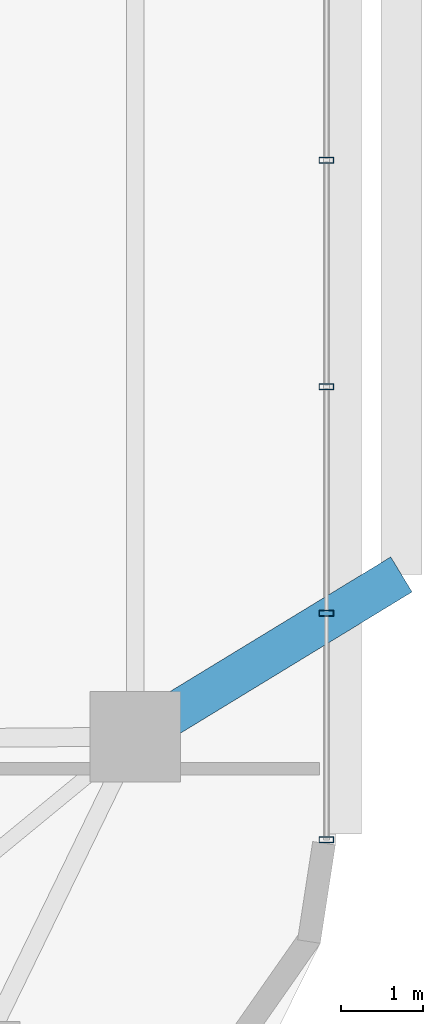
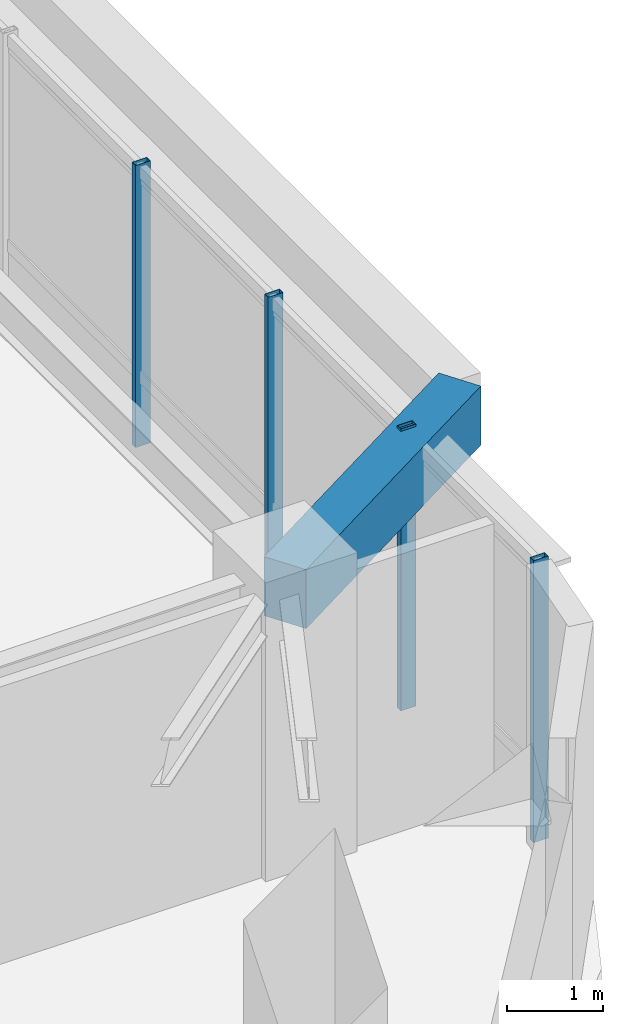
# One storey, part 2 of 14: 4 members, 1 beam, 1 element without a shape of its own.
"""IFC4 building model written with IfcOpenShell, lengths in metres."""

from ifc_helpers import new_model, si_unit, direction, frame, origin, origin_2d, place, context, subcontext, project, spatial, rectangle, hollow_rectangle, extrude, material, material_profile, profile_set, type_object, element, aggregate, save


model = new_model("IFC4")

# Units and contexts
model_context = context("Model", 3, precision=1e-05, world=origin(), true_north=direction((0.0, 1.0)))
body_context = subcontext(model_context, "Body", "Model", "MODEL_VIEW")
ifc_project = project(units=[si_unit("LENGTHUNIT", "METRE"), si_unit("AREAUNIT", "SQUARE_METRE"), si_unit("VOLUMEUNIT", "CUBIC_METRE"), si_unit("PLANEANGLEUNIT", "RADIAN"), si_unit("MASSUNIT", "GRAM", prefix="KILO")], contexts=[model_context])

# Site, building, storey
site_placement = place(None, origin())
site = spatial("IfcSite", under=ifc_project, at=site_placement, CompositionType="ELEMENT")
building_placement = place(site_placement, origin())
building = spatial("IfcBuilding", under=site, at=building_placement, Name="Zulverin Broadcast Headquarters", CompositionType="ELEMENT")
storey_placement = place(building_placement, frame((0.0, 0.0, 85.800048828125)))
storey = spatial("IfcBuildingStorey", under=building, at=storey_placement, Name="L21", CompositionType="ELEMENT", Elevation=85.800048828125)

# Beam
ifc_material_1 = material(Name="Concrete C40/50", Category="concrete")
ifc_material_profile_1 = material_profile(ifc_material_1, rectangle(XDim=0.5, YDim=0.75, at=origin_2d()), Name="Concrete C40/50", Category="concrete")
ifc_profile_set_1 = profile_set([ifc_material_profile_1], Name="Concrete C40/50")
beam_type = type_object("IfcBeamType", Name="BM-RC-500x750", PredefinedType="BEAM", material=ifc_profile_set_1)
beam_placement = place(storey_placement, frame((63.75, 17.439697265625, 3.14990234375), z_axis=(0.853769010652, 0.520651972483, 0.0), x_axis=(-0.520651972483, 0.853769010652, 0.0)))
element("IfcBeam", 1, at=beam_placement, inside=storey, type_object=beam_type, Name="L22 Balcony Column-Framed Cantilever BAL_E-1", PredefinedType="BEAM", context=body_context, shape_type="SweptSolid", body=[
    extrude(rectangle(XDim=0.5, YDim=0.75, at=origin_2d()), origin(), (0.0, 0.0, 1.0), 3.800048828125),
])

# Curtain wall, members
ifc_material_2 = material(Name="Low-zone ribbon unitised curtain wall", Category="aluminium")
curtain_wall_type = type_object("IfcCurtainWallType", Name="CW-TWR-LOW", PredefinedType="USERDEFINED", material=ifc_material_2)
curtain_wall_placement = place(storey_placement, origin())
curtain_wall = element("IfcCurtainWall", 2, at=curtain_wall_placement, inside=storey, type_object=curtain_wall_type, Name="L21 Unitised Curtain Wall CW-L21-E3", ObjectType="UNITISED CURTAIN WALL", PredefinedType="USERDEFINED")
ifc_material_3 = material(Name="Anodized pale-metal aluminium alloy 6063-T6", Category="aluminium")
ifc_material_profile_2 = material_profile(ifc_material_3, hollow_rectangle(XDim=0.074951171875, YDim=0.179931640625, WallThickness=0.0048828125, at=origin_2d()), Name="Anodized pale-metal aluminium alloy 6063-T6", Category="aluminium")
ifc_profile_set_2 = profile_set([ifc_material_profile_2], Name="Anodized pale-metal aluminium alloy 6063-T6")
member_type = type_object("IfcMemberType", Name="CW-MUL-180", PredefinedType="MULLION", material=ifc_profile_set_2)
member_1_placement = place(storey_placement, frame((66.080078125, 16.183349609375, -0.030029296875), z_axis=(0.0, 0.0, 1.0), x_axis=(0.0, 1.0, 0.0)))
member_1 = element("IfcMember", 3, at=member_1_placement, type_object=member_type, Name="CW-L21-E3 Mullion 00", PredefinedType="MULLION", context=body_context, shape_type="SweptSolid", body=[
    extrude(hollow_rectangle(XDim=0.074951171875, YDim=0.179931640625, WallThickness=0.0048828125, at=origin_2d()), origin(), (0.0, 0.0, 1.0), 3.5849609375),
])
member_2_placement = place(storey_placement, frame((66.080078125, 18.945068359375, -0.030029296875), z_axis=(0.0, 0.0, 1.0), x_axis=(0.0, 1.0, 0.0)))
member_2 = element("IfcMember", 4, at=member_2_placement, type_object=member_type, Name="CW-L21-E3 Mullion 01", PredefinedType="MULLION", context=body_context, shape_type="SweptSolid", body=[
    extrude(hollow_rectangle(XDim=0.074951171875, YDim=0.179931640625, WallThickness=0.0048828125, at=origin_2d()), origin(), (0.0, 0.0, 1.0), 3.5849609375),
])
member_3_placement = place(storey_placement, frame((66.080078125, 21.70654296875, -0.030029296875), z_axis=(0.0, 0.0, 1.0), x_axis=(0.0, 1.0, 0.0)))
member_3 = element("IfcMember", 5, at=member_3_placement, type_object=member_type, Name="CW-L21-E3 Mullion 02", PredefinedType="MULLION", context=body_context, shape_type="SweptSolid", body=[
    extrude(hollow_rectangle(XDim=0.074951171875, YDim=0.179931640625, WallThickness=0.0048828125, at=origin_2d()), origin(), (0.0, 0.0, 1.0), 3.5849609375),
])
member_4_placement = place(storey_placement, frame((66.080078125, 24.46826171875, -0.030029296875), z_axis=(0.0, 0.0, 1.0), x_axis=(0.0, 1.0, 0.0)))
member_4 = element("IfcMember", 6, at=member_4_placement, type_object=member_type, Name="CW-L21-E3 Mullion 03", PredefinedType="MULLION", context=body_context, shape_type="SweptSolid", body=[
    extrude(hollow_rectangle(XDim=0.074951171875, YDim=0.179931640625, WallThickness=0.0048828125, at=origin_2d()), origin(), (0.0, 0.0, 1.0), 3.5849609375),
])
aggregate(curtain_wall, [member_1, member_2, member_3, member_4])

save(model, "model.ifc")
